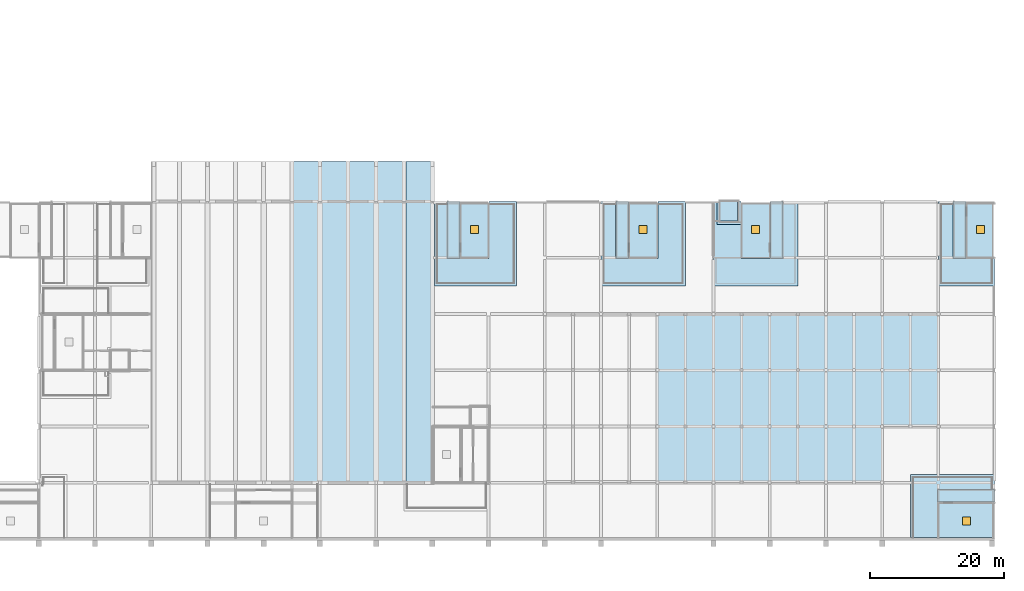
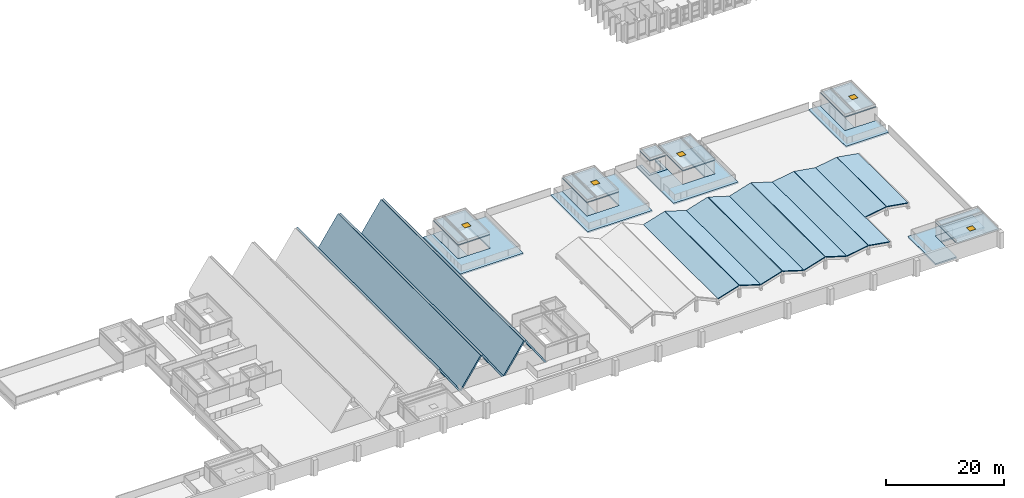
# One storey, part 8 of 24: 37 slabs, 5 windows, 5 openings.
"""IFC4 building model written with IfcOpenShell, lengths in metres."""

from ifc_helpers import new_model, si_unit, direction, frame, origin, origin_2d, place, context, subcontext, project, spatial, polyline, rectangle, outline, extrude, material, layer, layer_set, type_object, element, fill, save


model = new_model("IFC4")

# Units and contexts
model_context = context("Model", 3, precision=1e-05, world=origin(), true_north=direction((0.0, 1.0)))
body_context = subcontext(model_context, "Body", "Model", "MODEL_VIEW")
ifc_project = project(units=[si_unit("LENGTHUNIT", "METRE"), si_unit("AREAUNIT", "SQUARE_METRE"), si_unit("VOLUMEUNIT", "CUBIC_METRE"), si_unit("PLANEANGLEUNIT", "RADIAN"), si_unit("MASSUNIT", "GRAM", prefix="KILO")], contexts=[model_context])

# Site, building, storey
site_placement = place(None, origin())
site = spatial("IfcSite", under=ifc_project, at=site_placement, CompositionType="ELEMENT")
building_placement = place(site_placement, origin())
building = spatial("IfcBuilding", under=site, at=building_placement, Name="Rulbaag Community and Learning Centre", CompositionType="ELEMENT")
storey_placement = place(building_placement, frame((0.0, 0.0, 14.39990234375)))
storey = spatial("IfcBuildingStorey", under=building, at=storey_placement, Name="L03", CompositionType="ELEMENT", Elevation=14.39990234375)

# Slab, opening, window
ifc_material_1 = material(Name="Concrete M40", Category="concrete")
ifc_layer_1 = layer(ifc_material_1, 0.199951171875)
ifc_layer_set_1 = layer_set([ifc_layer_1], Name="S12 Head roof slab 200 Concrete M40")
slab_type_1 = type_object("IfcSlabType", Name="S12 Head roof slab 200 Concrete M40", PredefinedType="ROOF", material=ifc_layer_set_1)
slab_1_placement = place(storey_placement, frame((0.0, 0.0, 2.7001953125)))
slab_1 = element("IfcSlab", 1, at=slab_1_placement, inside=storey, type_object=slab_type_1, Name="SL-HEAD-SH3", PredefinedType="ROOF", context=body_context, shape_type="SweptSolid", body=[
    extrude(outline(polyline([(134.5, 41.89990234375), (130.10009765625, 41.89990234375), (130.10009765625, 50.22509765625), (134.5, 50.22509765625), (134.5, 41.89990234375)])), origin(), (0.0, 0.0, 1.0), 0.199951171875),
])
opening_1_placement = place(slab_1_placement, frame((132.300048828125, 46.199951171875, 0.0)))
opening_1 = element("IfcOpeningElement", 2, at=opening_1_placement, cuts=slab_1, Name="Opening SK1", PredefinedType="OPENING", context=body_context, shape_type="SweptSolid", body=[
    extrude(rectangle(XDim=1.199951171875, YDim=1.199951171875, at=origin_2d()), origin(), (0.0, 0.0, 1.0), 0.199951171875),
])
ifc_material_2 = material(Name="Aluminium", Category="aluminium")
window_type = type_object("IfcWindowType", Name="SK-1212", PartitioningType="SINGLE_PANEL", PredefinedType="SKYLIGHT", material=ifc_material_2)
window_1_placement = place(opening_1_placement, frame((0.0, 0.0, 0.14990234375)))
window_1 = element("IfcWindow", 3, at=window_1_placement, inside=storey, type_object=window_type, Name="Stair rooflight", OverallHeight=1.199951171875, OverallWidth=1.199951171875, PartitioningType="SINGLE_PANEL", PredefinedType="SKYLIGHT", context=body_context, shape_type="SweptSolid", body=[
    extrude(rectangle(XDim=1.199951171875, YDim=1.199951171875, at=origin_2d()), origin(), (0.0, 0.0, 1.0), 0.050048828125),
])
fill(opening_1, window_1)

# Slab
slab_2_placement = place(storey_placement, frame((0.0, 0.0, 2.7001953125)))
element("IfcSlab", 4, at=slab_2_placement, inside=storey, type_object=slab_type_1, Name="SL-HEAD-SH3-LB", PredefinedType="ROOF", context=body_context, shape_type="SweptSolid", body=[
    extrude(outline(polyline([(136.39990234375, 50.22509765625), (136.39990234375, 41.89990234375), (134.5, 41.89990234375), (134.5, 50.22509765625), (136.39990234375, 50.22509765625)])), origin(), (0.0, 0.0, 1.0), 0.199951171875),
])

# Slab, opening, window
slab_3_placement = place(storey_placement, frame((0.0, 0.0, 2.7001953125)))
slab_3 = element("IfcSlab", 5, at=slab_3_placement, inside=storey, type_object=slab_type_1, Name="SL-HEAD-SH4", PredefinedType="ROOF", context=body_context, shape_type="SweptSolid", body=[
    extrude(outline(polyline([(167.824951171875, 41.89990234375), (163.699951171875, 41.89990234375), (163.699951171875, 50.22509765625), (167.824951171875, 50.22509765625), (167.824951171875, 41.89990234375)])), origin(), (0.0, 0.0, 1.0), 0.199951171875),
])
opening_2_placement = place(slab_3_placement, frame((165.89990234375, 46.199951171875, 0.0)))
opening_2 = element("IfcOpeningElement", 6, at=opening_2_placement, cuts=slab_3, Name="Opening SK1", PredefinedType="OPENING", context=body_context, shape_type="SweptSolid", body=[
    extrude(rectangle(XDim=1.199951171875, YDim=1.199951171875, at=origin_2d()), origin(), (0.0, 0.0, 1.0), 0.199951171875),
])
window_2_placement = place(opening_2_placement, frame((0.0, 0.0, 0.14990234375)))
window_2 = element("IfcWindow", 7, at=window_2_placement, inside=storey, type_object=window_type, Name="Stair rooflight", OverallHeight=1.199951171875, OverallWidth=1.199951171875, PartitioningType="SINGLE_PANEL", PredefinedType="SKYLIGHT", context=body_context, shape_type="SweptSolid", body=[
    extrude(rectangle(XDim=1.199951171875, YDim=1.199951171875, at=origin_2d()), origin(), (0.0, 0.0, 1.0), 0.050048828125),
])
fill(opening_2, window_2)

# Slab
slab_4_placement = place(storey_placement, frame((0.0, 0.0, 2.7001953125)))
element("IfcSlab", 8, at=slab_4_placement, inside=storey, type_object=slab_type_1, Name="SL-HEAD-SH4-LB", PredefinedType="ROOF", context=body_context, shape_type="SweptSolid", body=[
    extrude(outline(polyline([(163.699951171875, 50.22509765625), (163.699951171875, 41.89990234375), (161.800048828125, 41.89990234375), (161.800048828125, 50.22509765625), (163.699951171875, 50.22509765625)])), origin(), (0.0, 0.0, 1.0), 0.199951171875),
])

# Slab, opening, window
slab_5_placement = place(storey_placement, frame((0.0, 0.0, 2.7001953125)))
slab_5 = element("IfcSlab", 9, at=slab_5_placement, inside=storey, type_object=slab_type_1, Name="SL-HEAD-SH6", PredefinedType="ROOF", context=body_context, shape_type="SweptSolid", body=[
    extrude(outline(polyline([(92.5, 41.89990234375), (88.10009765625, 41.89990234375), (88.10009765625, 50.22509765625), (92.5, 50.22509765625), (92.5, 41.89990234375)])), origin(), (0.0, 0.0, 1.0), 0.199951171875),
])
opening_3_placement = place(slab_5_placement, frame((90.300048828125, 46.199951171875, 0.0)))
opening_3 = element("IfcOpeningElement", 10, at=opening_3_placement, cuts=slab_5, Name="Opening SK1", PredefinedType="OPENING", context=body_context, shape_type="SweptSolid", body=[
    extrude(rectangle(XDim=1.199951171875, YDim=1.199951171875, at=origin_2d()), origin(), (0.0, 0.0, 1.0), 0.199951171875),
])
window_3_placement = place(opening_3_placement, frame((0.0, 0.0, 0.14990234375)))
window_3 = element("IfcWindow", 11, at=window_3_placement, inside=storey, type_object=window_type, Name="Stair rooflight", OverallHeight=1.199951171875, OverallWidth=1.199951171875, PartitioningType="SINGLE_PANEL", PredefinedType="SKYLIGHT", context=body_context, shape_type="SweptSolid", body=[
    extrude(rectangle(XDim=1.199951171875, YDim=1.199951171875, at=origin_2d()), origin(), (0.0, 0.0, 1.0), 0.050048828125),
])
fill(opening_3, window_3)

# Slab
slab_6_placement = place(storey_placement, frame((0.0, 0.0, 2.7001953125)))
element("IfcSlab", 12, at=slab_6_placement, inside=storey, type_object=slab_type_1, Name="SL-HEAD-SH6-LB", PredefinedType="ROOF", context=body_context, shape_type="SweptSolid", body=[
    extrude(outline(polyline([(88.10009765625, 50.22509765625), (88.10009765625, 41.89990234375), (86.199951171875, 41.89990234375), (86.199951171875, 50.22509765625), (88.10009765625, 50.22509765625)])), origin(), (0.0, 0.0, 1.0), 0.199951171875),
])

# Slab, opening, window
slab_7_placement = place(storey_placement, frame((0.0, 0.0, 2.7001953125)))
slab_7 = element("IfcSlab", 13, at=slab_7_placement, inside=storey, type_object=slab_type_1, Name="SL-HEAD-SH7", PredefinedType="ROOF", context=body_context, shape_type="SweptSolid", body=[
    extrude(outline(polyline([(117.699951171875, 41.89990234375), (113.300048828125, 41.89990234375), (113.300048828125, 50.22509765625), (117.699951171875, 50.22509765625), (117.699951171875, 41.89990234375)])), origin(), (0.0, 0.0, 1.0), 0.199951171875),
])
opening_4_placement = place(slab_7_placement, frame((115.5, 46.199951171875, 0.0)))
opening_4 = element("IfcOpeningElement", 14, at=opening_4_placement, cuts=slab_7, Name="Opening SK1", PredefinedType="OPENING", context=body_context, shape_type="SweptSolid", body=[
    extrude(rectangle(XDim=1.199951171875, YDim=1.199951171875, at=origin_2d()), origin(), (0.0, 0.0, 1.0), 0.199951171875),
])
window_4_placement = place(opening_4_placement, frame((0.0, 0.0, 0.14990234375)))
window_4 = element("IfcWindow", 15, at=window_4_placement, inside=storey, type_object=window_type, Name="Stair rooflight", OverallHeight=1.199951171875, OverallWidth=1.199951171875, PartitioningType="SINGLE_PANEL", PredefinedType="SKYLIGHT", context=body_context, shape_type="SweptSolid", body=[
    extrude(rectangle(XDim=1.199951171875, YDim=1.199951171875, at=origin_2d()), origin(), (0.0, 0.0, 1.0), 0.050048828125),
])
fill(opening_4, window_4)

# Slab
slab_8_placement = place(storey_placement, frame((0.0, 0.0, 2.7001953125)))
element("IfcSlab", 16, at=slab_8_placement, inside=storey, type_object=slab_type_1, Name="SL-HEAD-SH7-LB", PredefinedType="ROOF", context=body_context, shape_type="SweptSolid", body=[
    extrude(outline(polyline([(113.300048828125, 50.22509765625), (113.300048828125, 41.89990234375), (111.39990234375, 41.89990234375), (111.39990234375, 50.22509765625), (113.300048828125, 50.22509765625)])), origin(), (0.0, 0.0, 1.0), 0.199951171875),
])

# Slab, opening, window
slab_9_placement = place(storey_placement, frame((0.0, 0.0, 2.7001953125)))
slab_9 = element("IfcSlab", 17, at=slab_9_placement, inside=storey, type_object=slab_type_1, Name="SL-HEAD-SH10", PredefinedType="ROOF", context=body_context, shape_type="SweptSolid", body=[
    extrude(outline(polyline([(167.824951171875, 0.22509765625), (167.824951171875, 5.5), (159.5, 5.5), (159.5, 0.22509765625), (167.824951171875, 0.22509765625)])), origin(), (0.0, 0.0, 1.0), 0.199951171875),
])
opening_5_placement = place(slab_9_placement, frame((163.800048828125, 2.699951171875, 0.0)))
opening_5 = element("IfcOpeningElement", 18, at=opening_5_placement, cuts=slab_9, Name="Opening SK1", PredefinedType="OPENING", context=body_context, shape_type="SweptSolid", body=[
    extrude(rectangle(XDim=1.199951171875, YDim=1.199951171875, at=origin_2d()), origin(), (0.0, 0.0, 1.0), 0.199951171875),
])
window_5_placement = place(opening_5_placement, frame((0.0, 0.0, 0.14990234375)))
window_5 = element("IfcWindow", 19, at=window_5_placement, inside=storey, type_object=window_type, Name="Stair rooflight", OverallHeight=1.199951171875, OverallWidth=1.199951171875, PartitioningType="SINGLE_PANEL", PredefinedType="SKYLIGHT", context=body_context, shape_type="SweptSolid", body=[
    extrude(rectangle(XDim=1.199951171875, YDim=1.199951171875, at=origin_2d()), origin(), (0.0, 0.0, 1.0), 0.050048828125),
])
fill(opening_5, window_5)

# Slabs
slab_10_placement = place(storey_placement, frame((0.0, 0.0, 2.7001953125)))
element("IfcSlab", 20, at=slab_10_placement, inside=storey, type_object=slab_type_1, Name="SL-HEAD-SH10-LB", PredefinedType="ROOF", context=body_context, shape_type="SweptSolid", body=[
    extrude(outline(polyline([(167.824951171875, 7.39990234375), (167.824951171875, 5.5), (159.5, 5.5), (159.5, 7.39990234375), (167.824951171875, 7.39990234375)])), origin(), (0.0, 0.0, 1.0), 0.199951171875),
])
slab_11_placement = place(storey_placement, frame((0.0, 0.0, 2.7001953125)))
element("IfcSlab", 21, at=slab_11_placement, inside=storey, type_object=slab_type_1, Name="SL-HEAD-LH3", PredefinedType="ROOF", context=body_context, shape_type="SweptSolid", body=[
    extrude(outline(polyline([(129.85009765625, 47.25), (126.75, 47.25), (126.75, 50.64990234375), (129.85009765625, 50.64990234375), (129.85009765625, 47.25)])), origin(), (0.0, 0.0, 1.0), 0.199951171875),
])
ifc_layer_2 = layer(ifc_material_1, 0.175048828125)
ifc_layer_set_2 = layer_set([ifc_layer_2], Name="S22 Folded roof plate 175 Concrete M40")
slab_type_2 = type_object("IfcSlabType", Name="S22 Folded roof plate 175 Concrete M40", PredefinedType="ROOF", material=ifc_layer_set_2)
for number, where, z_axis, x_axis, name in (
    (22, (117.60009765625, 8.39990234375, 1.10009765625), (-0.295677620013, 0.0, 0.955287781259), (0.955287781259, 0.0, 0.295677620013), "SL-RF-B13-3a"),
    (23, (121.851806640625, 8.39990234375, 2.384033203125), (0.295677620013, 0.0, 0.955287781259), (0.955287781259, 0.0, -0.295677620013), "SL-RF-B13-3b"),
    (24, (126.0, 8.39990234375, 1.10009765625), (-0.295677620013, 0.0, 0.955287781259), (0.955287781259, 0.0, 0.295677620013), "SL-RF-B13-4a"),
    (25, (130.251708984375, 8.39990234375, 2.384033203125), (0.295677620013, 0.0, 0.955287781259), (0.955287781259, 0.0, -0.295677620013), "SL-RF-B13-4b"),
):
    element("IfcSlab", number, at=place(storey_placement, frame(where, z_axis=z_axis, x_axis=x_axis)), inside=storey, type_object=slab_type_2, Name=name, PredefinedType="ROOF", context=body_context, shape_type="SweptSolid", body=[
        extrude(outline(polyline([(0.0, 0.0), (4.342349437262282, 0.0), (4.342349437262282, 25.2001953125), (0.0, 25.2001953125), (0.0, 0.0)])), origin(), (0.0, 0.0, -1.0), 0.175048828125),
    ])
for number, where, z_axis, x_axis, name in (
    (26, (134.39990234375, 8.39990234375, 1.10009765625), (-0.295661740187, 0.0, 0.955292696188), (0.955292696188, 0.0, 0.295661740187), "SL-RF-B13-5a"),
    (27, (138.651611328125, 8.39990234375, 2.384033203125), (0.295661740187, 0.0, 0.955292696188), (0.955292696188, 0.0, -0.295661740187), "SL-RF-B13-5b"),
):
    element("IfcSlab", number, at=place(storey_placement, frame(where, z_axis=z_axis, x_axis=x_axis)), inside=storey, type_object=slab_type_2, Name=name, PredefinedType="ROOF", context=body_context, shape_type="SweptSolid", body=[
        extrude(outline(polyline([(0.0, 0.0), (4.342582662418236, 0.0), (4.342582662418236, 25.2001953125), (0.0, 25.2001953125), (0.0, 0.0)])), origin(), (0.0, 0.0, -1.0), 0.175048828125),
    ])
for number, where, z_axis, x_axis, name in (
    (28, (142.800048828125, 8.39990234375, 1.10009765625), (-0.164427074159, 0.0, 0.986389242279), (0.986389242279, 0.0, 0.164427074159), "SL-RF-B13-6a"),
    (29, (147.02880859375, 8.39990234375, 1.79541015625), (0.164427074159, 0.0, 0.986389242279), (0.986389242279, 0.0, -0.164427074159), "SL-RF-B13-6b"),
):
    element("IfcSlab", number, at=place(storey_placement, frame(where, z_axis=z_axis, x_axis=x_axis)), inside=storey, type_object=slab_type_2, Name=name, PredefinedType="ROOF", context=body_context, shape_type="SweptSolid", body=[
        extrude(outline(polyline([(0.0, 0.0), (4.228698367075089, 0.0), (4.228698367075089, 25.2001953125), (0.0, 25.2001953125), (0.0, 0.0)])), origin(), (0.0, 0.0, -1.0), 0.175048828125),
    ])
slab_12_placement = place(storey_placement, frame((151.199951171875, 16.800048828125, 1.10009765625), z_axis=(-0.164427074159, 0.0, 0.986389242279), x_axis=(0.986389242279, 0.0, 0.164427074159)))
element("IfcSlab", 30, at=slab_12_placement, inside=storey, type_object=slab_type_2, Name="SL-RF-C19-1a", PredefinedType="ROOF", context=body_context, shape_type="SweptSolid", body=[
    extrude(outline(polyline([(0.0, 0.0), (4.228698367075089, 0.0), (4.228698367075089, 16.800048828125), (0.0, 16.800048828125), (0.0, 0.0)])), origin(), (0.0, 0.0, -1.0), 0.175048828125),
])
slab_13_placement = place(storey_placement, frame((155.4287109375, 16.800048828125, 1.79541015625), z_axis=(0.164417710823, 0.0, 0.986390803063), x_axis=(0.986390803063, 0.0, -0.164417710823)))
element("IfcSlab", 31, at=slab_13_placement, inside=storey, type_object=slab_type_2, Name="SL-RF-C19-1b", PredefinedType="ROOF", context=body_context, shape_type="SweptSolid", body=[
    extrude(outline(polyline([(0.0, 0.0), (4.228939184951723, 0.0), (4.228939184951723, 16.800048828125), (0.0, 16.800048828125), (0.0, 0.0)])), origin(), (0.0, 0.0, -1.0), 0.175048828125),
])
ifc_layer_3 = layer(ifc_material_1, 0.300048828125)
ifc_layer_set_3 = layer_set([ifc_layer_3], Name="S3 Folded roof plate 300 Concrete M40")
slab_type_3 = type_object("IfcSlabType", Name="S3 Folded roof plate 300 Concrete M40", PredefinedType="ROOF", material=ifc_layer_set_3)
for number, where, z_axis, x_axis, name in (
    (32, (63.248291015625, 8.14990234375, 5.83349609375), (0.827922842513, 0.0, 0.560842015942), (0.560842015942, 0.0, -0.827922842513), "SL-FP-M3b"),
    (33, (67.199951171875, 8.14990234375, 0.0), (-0.827922842513, 0.0, 0.560842015942), (0.560842015942, 0.0, 0.827922842513), "SL-FP-M4a"),
    (34, (71.6484375, 8.14990234375, 5.83349609375), (0.827922842513, 0.0, 0.560842015942), (0.560842015942, 0.0, -0.827922842513), "SL-FP-M4b"),
):
    element("IfcSlab", number, at=place(storey_placement, frame(where, z_axis=z_axis, x_axis=x_axis)), inside=storey, type_object=slab_type_3, Name=name, PredefinedType="ROOF", context=body_context, shape_type="SweptSolid", body=[
        extrude(outline(polyline([(0.0, 0.0), (7.0459417160724716, 0.0), (7.0459417160724716, 48.25), (0.0, 48.25), (0.0, 0.0)])), origin(), (0.0, 0.0, -1.0), 0.300048828125),
    ])
slab_14_placement = place(storey_placement, frame((75.60009765625, 8.14990234375, 0.0), z_axis=(-0.827938931572, 0.0, 0.560818264313), x_axis=(0.560818264313, 0.0, 0.827938931572)))
element("IfcSlab", 35, at=slab_14_placement, inside=storey, type_object=slab_type_3, Name="SL-FP-M5a", PredefinedType="ROOF", context=body_context, shape_type="SweptSolid", body=[
    extrude(outline(polyline([(0.0, 0.0), (7.045804794651515, 0.0), (7.045804794651515, 48.25), (0.0, 48.25), (0.0, 0.0)])), origin(), (0.0, 0.0, -1.0), 0.300048828125),
])
slab_15_placement = place(storey_placement, frame((80.04833984375, 8.14990234375, 5.83349609375), z_axis=(0.827922842513, 0.0, 0.560842015942), x_axis=(0.560842015942, 0.0, -0.827922842513)))
element("IfcSlab", 36, at=slab_15_placement, inside=storey, type_object=slab_type_3, Name="SL-FP-M5b", PredefinedType="ROOF", context=body_context, shape_type="SweptSolid", body=[
    extrude(outline(polyline([(0.0, 0.0), (7.0459417160724716, 0.0), (7.0459417160724716, 48.25), (0.0, 48.25), (0.0, 0.0)])), origin(), (0.0, 0.0, -1.0), 0.300048828125),
])
ifc_layer_4 = layer(ifc_material_1, 0.300048828125)
ifc_layer_set_4 = layer_set([ifc_layer_4], Name="S6 Terrace slab 300 Concrete M40")
slab_type_4 = type_object("IfcSlabType", Name="S6 Terrace slab 300 Concrete M40", PredefinedType="ROOF", material=ifc_layer_set_4)
slab_16_placement = place(storey_placement, frame((0.0, 0.0, -0.2998046875)))
element("IfcSlab", 37, at=slab_16_placement, inside=storey, type_object=slab_type_4, Name="Refuge terrace SH3", PredefinedType="ROOF", context=body_context, shape_type="SweptSolid", body=[
    extrude(outline(polyline([(134.389404296875, 41.89990234375), (134.389404296875, 41.909912109375), (134.39990234375, 41.909912109375), (134.39990234375, 41.89990234375), (134.4990234375, 41.89990234375), (134.4990234375, 41.89990234375), (134.4990234375, 41.89990234375), (134.4990234375, 41.899658203125), (134.4990234375, 41.899658203125), (134.4990234375, 41.8994140625), (134.499267578125, 41.8994140625), (134.499267578125, 41.8994140625), (134.499267578125, 41.8994140625), (136.39990234375, 41.89892578125), (136.40087890625, 49.979248046875), (136.40087890625, 49.979248046875), (136.40087890625, 50.270751953125), (136.40087890625, 50.270751953125), (136.40087890625, 50.39990234375), (138.60009765625, 50.39990234375), (138.60009765625, 37.800048828125), (126.0, 37.800048828125), (126.0, 50.39990234375), (126.5, 50.39990234375), (126.5, 47.0), (130.10009765625, 47.0), (130.10009765625, 41.89990234375), (134.389404296875, 41.8994140625), (134.389404296875, 41.89990234375)])), origin(), (0.0, 0.0, 1.0), 0.2998046875),
])
slab_17_placement = place(storey_placement, frame((0.0, 0.0, -0.2998046875)))
element("IfcSlab", 38, at=slab_17_placement, inside=storey, type_object=slab_type_4, Name="Refuge terrace SH4", PredefinedType="ROOF", context=body_context, shape_type="SweptSolid", body=[
    extrude(outline(polyline([(163.70068359375, 41.8994140625), (163.700927734375, 41.8994140625), (163.700927734375, 41.899658203125), (163.700927734375, 41.899658203125), (163.700927734375, 41.89990234375), (163.700927734375, 41.89990234375), (163.700927734375, 41.89990234375), (163.800048828125, 41.89990234375), (163.800048828125, 41.909912109375), (163.810791015625, 41.909912109375), (163.810791015625, 41.89990234375), (163.810546875, 41.8994140625), (168.0, 41.89990234375), (168.0, 37.800048828125), (159.60009765625, 37.800048828125), (159.60009765625, 50.39990234375), (161.7890625, 50.39990234375), (161.7890625, 50.410888671875), (161.799072265625, 50.410888671875), (161.800048828125, 50.410888671875), (161.800048828125, 50.40087890625), (161.7998046875, 50.40087890625), (161.7998046875, 50.40087890625), (161.7998046875, 50.40087890625), (161.799560546875, 50.40087890625), (161.799560546875, 50.40087890625), (161.79931640625, 50.40087890625), (161.79931640625, 50.40087890625), (161.79931640625, 50.400634765625), (161.79931640625, 50.400634765625), (161.79931640625, 50.400634765625), (161.799072265625, 50.400390625), (161.799072265625, 50.400390625), (161.799072265625, 50.400390625), (161.799072265625, 50.400146484375), (161.799072265625, 50.400146484375), (161.799072265625, 50.39990234375), (161.799072265625, 50.270751953125), (161.799072265625, 49.979248046875), (161.799072265625, 41.89990234375), (161.799072265625, 41.89990234375), (161.799072265625, 41.89990234375), (161.799072265625, 41.899658203125), (161.799072265625, 41.899658203125), (161.799072265625, 41.8994140625), (161.79931640625, 41.8994140625), (161.79931640625, 41.8994140625), (161.79931640625, 41.8994140625), (161.79931640625, 41.899169921875), (161.79931640625, 41.899169921875), (161.799560546875, 41.899169921875), (161.799560546875, 41.899169921875), (161.7998046875, 41.89892578125), (161.7998046875, 41.89892578125), (161.7998046875, 41.89892578125), (161.800048828125, 41.89892578125), (163.70068359375, 41.8994140625), (163.70068359375, 41.8994140625), (163.70068359375, 41.8994140625)])), origin(), (0.0, 0.0, 1.0), 0.2998046875),
])
slab_18_placement = place(storey_placement, frame((0.0, 0.0, -0.2998046875)))
element("IfcSlab", 39, at=slab_18_placement, inside=storey, type_object=slab_type_4, Name="Refuge terrace SH6", PredefinedType="ROOF", context=body_context, shape_type="SweptSolid", body=[
    extrude(outline(polyline([(88.100830078125, 41.8994140625), (88.100830078125, 41.8994140625), (88.100830078125, 41.899658203125), (88.10107421875, 41.899658203125), (88.10107421875, 41.89990234375), (88.10107421875, 41.89990234375), (88.10107421875, 41.89990234375), (88.199951171875, 41.89990234375), (88.199951171875, 41.909912109375), (88.210693359375, 41.909912109375), (88.210693359375, 41.89990234375), (88.210693359375, 41.8994140625), (92.5, 41.89990234375), (92.5, 50.39990234375), (96.60009765625, 50.39990234375), (96.60009765625, 37.800048828125), (84.300048828125, 37.800048828125), (84.300048828125, 50.39990234375), (86.18896484375, 50.39990234375), (86.18896484375, 50.410888671875), (86.198974609375, 50.410888671875), (86.199951171875, 50.410888671875), (86.199951171875, 50.40087890625), (86.199951171875, 50.40087890625), (86.19970703125, 50.40087890625), (86.19970703125, 50.40087890625), (86.19970703125, 50.40087890625), (86.199462890625, 50.40087890625), (86.199462890625, 50.40087890625), (86.199462890625, 50.40087890625), (86.19921875, 50.400634765625), (86.19921875, 50.400634765625), (86.19921875, 50.400634765625), (86.19921875, 50.400390625), (86.19921875, 50.400390625), (86.198974609375, 50.400390625), (86.198974609375, 50.400146484375), (86.198974609375, 50.400146484375), (86.198974609375, 50.39990234375), (86.198974609375, 50.270751953125), (86.198974609375, 49.979248046875), (86.198974609375, 41.89990234375), (86.198974609375, 41.89990234375), (86.198974609375, 41.89990234375), (86.198974609375, 41.899658203125), (86.19921875, 41.899658203125), (86.19921875, 41.8994140625), (86.19921875, 41.8994140625), (86.19921875, 41.8994140625), (86.19921875, 41.8994140625), (86.199462890625, 41.899169921875), (86.199462890625, 41.899169921875), (86.199462890625, 41.899169921875), (86.19970703125, 41.899169921875), (86.19970703125, 41.89892578125), (86.19970703125, 41.89892578125), (86.199951171875, 41.89892578125), (86.199951171875, 41.89892578125), (88.1005859375, 41.8994140625), (88.100830078125, 41.8994140625), (88.100830078125, 41.8994140625)])), origin(), (0.0, 0.0, 1.0), 0.2998046875),
])
slab_19_placement = place(storey_placement, frame((0.0, 0.0, -0.2998046875)))
element("IfcSlab", 40, at=slab_19_placement, inside=storey, type_object=slab_type_4, Name="Refuge terrace SH7", PredefinedType="ROOF", context=body_context, shape_type="SweptSolid", body=[
    extrude(outline(polyline([(113.30078125, 41.8994140625), (113.30078125, 41.8994140625), (113.30078125, 41.899658203125), (113.301025390625, 41.899658203125), (113.301025390625, 41.89990234375), (113.301025390625, 41.89990234375), (113.301025390625, 41.89990234375), (113.39990234375, 41.89990234375), (113.39990234375, 41.909912109375), (113.41064453125, 41.909912109375), (113.41064453125, 41.89990234375), (113.41064453125, 41.8994140625), (117.699951171875, 41.89990234375), (117.699951171875, 50.39990234375), (121.800048828125, 50.39990234375), (121.800048828125, 37.800048828125), (109.199951171875, 37.800048828125), (109.199951171875, 50.39990234375), (111.388916015625, 50.39990234375), (111.388916015625, 50.410888671875), (111.39892578125, 50.410888671875), (111.39990234375, 50.410888671875), (111.39990234375, 50.40087890625), (111.39990234375, 50.40087890625), (111.39990234375, 50.40087890625), (111.399658203125, 50.40087890625), (111.399658203125, 50.40087890625), (111.3994140625, 50.40087890625), (111.3994140625, 50.40087890625), (111.3994140625, 50.40087890625), (111.3994140625, 50.400634765625), (111.399169921875, 50.400634765625), (111.399169921875, 50.400634765625), (111.399169921875, 50.400390625), (111.399169921875, 50.400390625), (111.39892578125, 50.400390625), (111.39892578125, 50.400146484375), (111.39892578125, 50.400146484375), (111.39892578125, 50.39990234375), (111.39892578125, 50.270751953125), (111.39892578125, 49.979248046875), (111.39892578125, 41.89990234375), (111.39892578125, 41.89990234375), (111.39892578125, 41.89990234375), (111.39892578125, 41.899658203125), (111.399169921875, 41.899658203125), (111.399169921875, 41.8994140625), (111.399169921875, 41.8994140625), (111.399169921875, 41.8994140625), (111.3994140625, 41.8994140625), (111.3994140625, 41.899169921875), (111.3994140625, 41.899169921875), (111.3994140625, 41.899169921875), (111.399658203125, 41.899169921875), (111.399658203125, 41.89892578125), (111.39990234375, 41.89892578125), (111.39990234375, 41.89892578125), (111.39990234375, 41.89892578125), (113.30078125, 41.8994140625), (113.30078125, 41.8994140625), (113.30078125, 41.8994140625)])), origin(), (0.0, 0.0, 1.0), 0.2998046875),
])
slab_20_placement = place(storey_placement, frame((0.0, 0.0, -0.2998046875)))
element("IfcSlab", 41, at=slab_20_placement, inside=storey, type_object=slab_type_4, Name="Refuge terrace SH10", PredefinedType="ROOF", context=body_context, shape_type="SweptSolid", body=[
    extrude(outline(polyline([(159.5, 0.22509765625), (155.39990234375, 0.22509765625), (155.39990234375, 9.60009765625), (168.0, 9.60009765625), (168.0, 7.40087890625), (159.5, 7.40087890625), (159.5, 0.22509765625)])), origin(), (0.0, 0.0, 1.0), 0.2998046875),
])
ifc_layer_5 = layer(ifc_material_1, 0.300048828125)
ifc_layer_set_5 = layer_set([ifc_layer_5], Name="S7 Roof slab 300 Concrete M40")
slab_type_5 = type_object("IfcSlabType", Name="S7 Roof slab 300 Concrete M40", PredefinedType="ROOF", material=ifc_layer_set_5)
slab_21_placement = place(storey_placement, frame((0.0, 0.0, -0.2998046875)))
element("IfcSlab", 42, at=slab_21_placement, inside=storey, type_object=slab_type_5, Name="Non-accessible roof", PredefinedType="ROOF", context=body_context, shape_type="SweptSolid", body=[
    extrude(outline(polyline([(88.10009765625, 50.39990234375), (88.10009765625, 41.89990234375), (86.199951171875, 41.89990234375), (86.199951171875, 50.39990234375), (88.10009765625, 50.39990234375)])), origin(), (0.0, 0.0, 1.0), 0.2998046875),
])
slab_22_placement = place(storey_placement, frame((0.0, 0.0, -0.2998046875)))
element("IfcSlab", 43, at=slab_22_placement, inside=storey, type_object=slab_type_5, Name="Non-accessible roof", PredefinedType="ROOF", context=body_context, shape_type="SweptSolid", body=[
    extrude(outline(polyline([(113.300048828125, 50.39990234375), (113.300048828125, 41.89990234375), (111.39990234375, 41.89990234375), (111.39990234375, 50.39990234375), (113.300048828125, 50.39990234375)])), origin(), (0.0, 0.0, 1.0), 0.2998046875),
])
slab_23_placement = place(storey_placement, frame((0.0, 0.0, -0.2998046875)))
element("IfcSlab", 44, at=slab_23_placement, inside=storey, type_object=slab_type_5, Name="Non-accessible roof", PredefinedType="ROOF", context=body_context, shape_type="SweptSolid", body=[
    extrude(outline(polyline([(163.699951171875, 50.39990234375), (163.699951171875, 41.89990234375), (161.800048828125, 41.89990234375), (161.800048828125, 50.39990234375), (163.699951171875, 50.39990234375)])), origin(), (0.0, 0.0, 1.0), 0.2998046875),
])
slab_24_placement = place(storey_placement, frame((0.0, 0.0, -0.2998046875)))
element("IfcSlab", 45, at=slab_24_placement, inside=storey, type_object=slab_type_5, Name="Non-accessible roof", PredefinedType="ROOF", context=body_context, shape_type="SweptSolid", body=[
    extrude(outline(polyline([(168.0, 5.5), (159.5, 5.5), (159.5009765625, 7.39990234375), (168.0, 7.39990234375), (168.0, 5.5)])), origin(), (0.0, 0.0, 1.0), 0.2998046875),
])
slab_25_placement = place(storey_placement, frame((0.0, 0.0, -0.2998046875)))
element("IfcSlab", 46, at=slab_25_placement, inside=storey, type_object=slab_type_5, Name="Non-accessible roof", PredefinedType="ROOF", context=body_context, shape_type="SweptSolid", body=[
    extrude(outline(polyline([(134.5, 50.39990234375), (136.39990234375, 50.39990234375), (136.39892578125, 41.89990234375), (134.5, 41.89990234375), (134.5, 50.39990234375)])), origin(), (0.0, 0.0, 1.0), 0.2998046875),
])
slab_26_placement = place(storey_placement, frame((0.0, 0.0, -0.2998046875)))
element("IfcSlab", 47, at=slab_26_placement, inside=storey, type_object=slab_type_5, Name="Non-accessible roof", PredefinedType="ROOF", context=body_context, shape_type="SweptSolid", body=[
    extrude(outline(polyline([(130.110107421875, 50.035888671875), (130.110107421875, 50.02490234375), (130.110107421875, 50.013916015625), (130.10009765625, 50.013916015625), (130.10009765625, 47.0009765625), (130.09912109375, 47.0009765625), (130.089111328125, 47.0009765625), (126.5009765625, 47.0009765625), (126.5009765625, 50.39990234375), (127.0, 50.39990234375), (127.0, 47.5), (129.60009765625, 47.5), (129.60009765625, 50.39990234375), (130.09912109375, 50.39990234375), (130.09912109375, 50.236083984375), (130.10009765625, 50.236083984375), (130.110107421875, 50.236083984375), (130.110107421875, 50.22509765625), (130.10009765625, 50.22509765625), (130.10009765625, 50.035888671875), (130.110107421875, 50.035888671875)])), origin(), (0.0, 0.0, 1.0), 0.2998046875),
])

save(model, "model.ifc")
